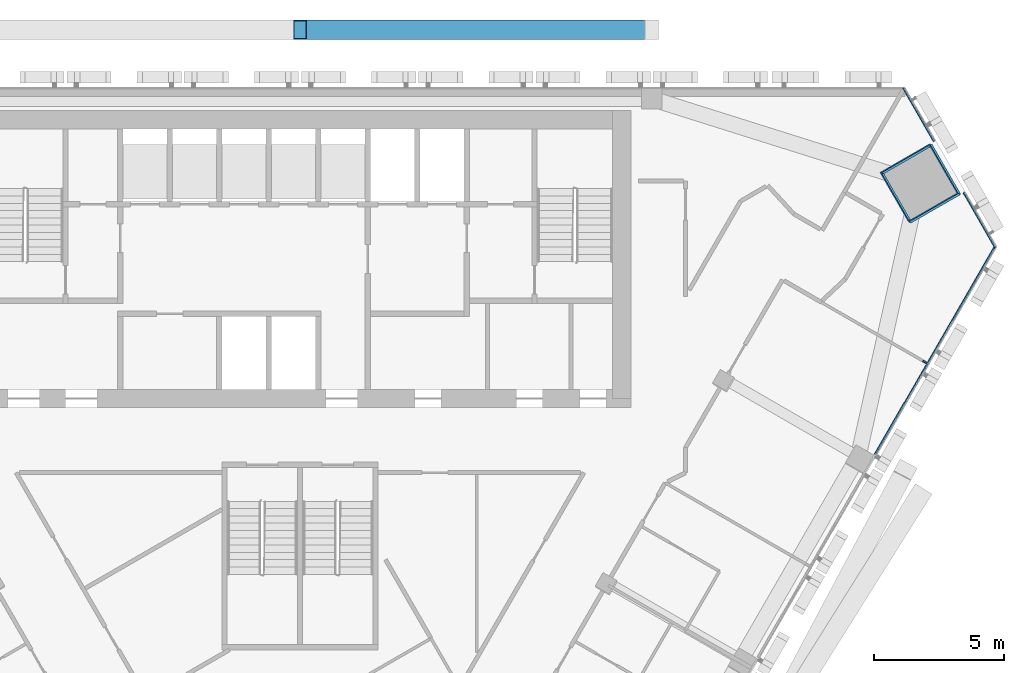
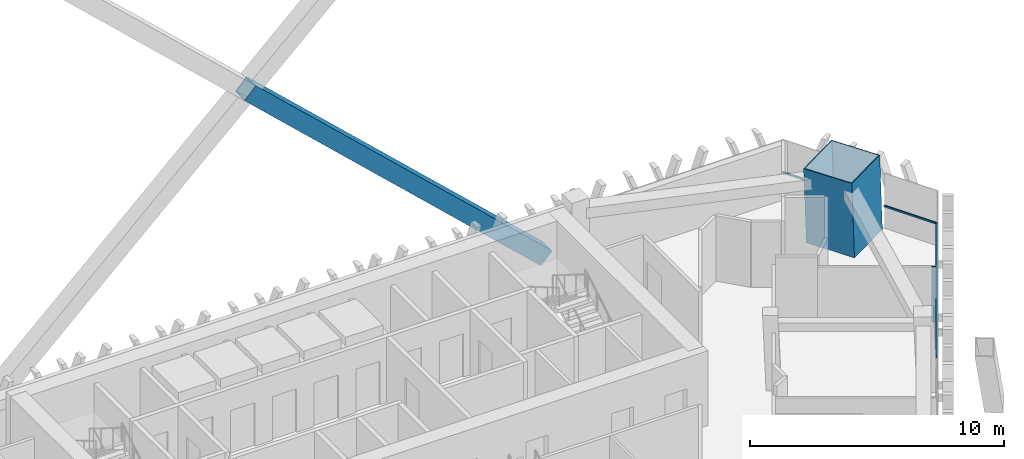
# One storey, part 9 of 18: 6 members, 2 elements without a shape of their own.
"""IFC4 building model written with IfcOpenShell, lengths in metres."""

from ifc_helpers import new_model, si_unit, direction, frame, origin, origin_2d, place, context, subcontext, project, spatial, rectangle, hollow_rectangle, extrude, material, layer, layer_set, material_profile, profile_set, type_object, element, aggregate, save


model = new_model("IFC4")

# Units and contexts
model_context = context("Model", 3, precision=1e-05, world=origin(), true_north=direction((0.0, 1.0)))
body_context = subcontext(model_context, "Body", "Model", "MODEL_VIEW")
ifc_project = project(units=[si_unit("LENGTHUNIT", "METRE"), si_unit("AREAUNIT", "SQUARE_METRE"), si_unit("VOLUMEUNIT", "CUBIC_METRE"), si_unit("PLANEANGLEUNIT", "RADIAN"), si_unit("MASSUNIT", "GRAM", prefix="KILO")], contexts=[model_context])

# Site, building, storey
site_placement = place(None, origin())
site = spatial("IfcSite", under=ifc_project, at=site_placement, CompositionType="ELEMENT")
building_placement = place(site_placement, origin())
building = spatial("IfcBuilding", under=site, at=building_placement, Name="Altiplano Prism Tower", CompositionType="ELEMENT")
storey_placement = place(building_placement, frame((0.0, 0.0, 163.800048828125)))
storey = spatial("IfcBuildingStorey", under=building, at=storey_placement, Name="L42", CompositionType="ELEMENT", Elevation=163.800048828125)

# Curtain wall, members
ifc_material_1 = material(Name="Aluminium and glass", Category="aluminium")
ifc_layer = layer(ifc_material_1, 0.280029296875)
ifc_layer_set = layer_set([ifc_layer], Name="Aluminium and glass")
curtain_wall_type = type_object("IfcCurtainWallType", Name="CW1 typical co-living unitised curtain wall", PredefinedType="NOTDEFINED", material=ifc_layer_set)
curtain_wall_1_placement = place(storey_placement, origin())
curtain_wall_1 = element("IfcCurtainWall", 1, at=curtain_wall_1_placement, inside=storey, type_object=curtain_wall_type, Name="CW1 curtain wall south-east face L42", PredefinedType="NOTDEFINED")
ifc_material_2 = material(Name="Aluminium", Category="aluminium")
ifc_material_profile_1 = material_profile(ifc_material_2, rectangle(XDim=0.179931640625, YDim=0.06494140625, at=origin_2d()), Name="CW1 mullion 65 x 180")
ifc_profile_set_1 = profile_set([ifc_material_profile_1], Name="Aluminium")
member_type_1 = type_object("IfcMemberType", Name="CW1 mullion 65 x 180", PredefinedType="MULLION", material=ifc_profile_set_1)
member_1_placement = place(storey_placement, frame((108.982421875, 94.4482421875, 0.0), z_axis=(0.0, 0.0, 1.0), x_axis=(-0.866025400931, 0.500000004943, 0.0)))
member_1 = element("IfcMember", 2, at=member_1_placement, type_object=member_type_1, Name="CW1 mullion", PredefinedType="MULLION", context=body_context, shape_type="SweptSolid", body=[
    extrude(rectangle(XDim=0.179931640625, YDim=0.06494140625, at=origin_2d()), origin(), (0.0, 0.0, 1.0), 2.64990234375),
])
ifc_material_profile_2 = material_profile(ifc_material_2, rectangle(XDim=0.06005859375, YDim=0.080078125, at=origin_2d()), Name="CW1 transom 80 x 60")
ifc_profile_set_2 = profile_set([ifc_material_profile_2], Name="Aluminium")
member_type_2 = type_object("IfcMemberType", Name="CW1 transom 80 x 60", PredefinedType="USERDEFINED", material=ifc_profile_set_2)
member_2_placement = place(storey_placement, frame((107.076171875, 90.906494140625, 1.099853515625), z_axis=(0.499990083164, 0.866031129197, 0.0), x_axis=(-0.866031129197, 0.499990083164, 0.0)))
member_2 = element("IfcMember", 3, at=member_2_placement, type_object=member_type_2, Name="CW1 transom", ObjectType="TRANSOM", PredefinedType="USERDEFINED", context=body_context, shape_type="SweptSolid", body=[
    extrude(rectangle(XDim=0.06005859375, YDim=0.080078125, at=origin_2d()), origin(), (0.0, 0.0, 1.0), 9.239013671875),
])
aggregate(curtain_wall_1, [member_1, member_2])

curtain_wall_2_placement = place(storey_placement, origin())
curtain_wall_2 = element("IfcCurtainWall", 4, at=curtain_wall_2_placement, inside=storey, type_object=curtain_wall_type, Name="CW1 curtain wall north-east chamfer L42", PredefinedType="NOTDEFINED")
member_3_placement = place(storey_placement, frame((111.695556640625, 98.837646484375, 1.099853515625), z_axis=(-0.499973876011, 0.866040485951, 0.0), x_axis=(-0.866040485951, -0.499973876011, 0.0)))
member_3 = element("IfcMember", 5, at=member_3_placement, type_object=member_type_2, Name="CW1 transom", ObjectType="TRANSOM", PredefinedType="USERDEFINED", context=body_context, shape_type="SweptSolid", body=[
    extrude(rectangle(XDim=0.06005859375, YDim=0.080078125, at=origin_2d()), origin(), (0.0, 0.0, 1.0), 2.437744140625),
])
member_4_placement = place(storey_placement, frame((109.3369140625, 102.92333984375, 1.099853515625), z_axis=(-0.49997046273, 0.866042456464, 0.0), x_axis=(-0.866042456464, -0.49997046273, 0.0)))
member_4 = element("IfcMember", 6, at=member_4_placement, type_object=member_type_2, Name="CW1 transom", ObjectType="TRANSOM", PredefinedType="USERDEFINED", context=body_context, shape_type="SweptSolid", body=[
    extrude(rectangle(XDim=0.06005859375, YDim=0.080078125, at=origin_2d()), origin(), (0.0, 0.0, 1.0), 2.357666015625),
])
aggregate(curtain_wall_2, [member_3, member_4])

# Members
ifc_material_3 = material(Name="Steel S355", Category="steel")
ifc_material_profile_3 = material_profile(ifc_material_3, hollow_rectangle(XDim=0.75, YDim=0.75, WallThickness=0.0400390625, at=origin_2d()), Name="Mega brace Box 750x750x40")
ifc_profile_set_3 = profile_set([ifc_material_profile_3], Name="Steel S355")
member_type_3 = type_object("IfcMemberType", Name="Mega brace Box 750x750x40", PredefinedType="BRACE", material=ifc_profile_set_3)
member_5_placement = place(storey_placement, frame((98.5, 107.199951171875, -0.800048828125), z_axis=(-0.729030469769, 0.0, 0.684481244556), x_axis=(0.0, -1.0, 0.0)))
element("IfcMember", 7, at=member_5_placement, inside=storey, type_object=member_type_3, Name="Mega brace 4.0.1", PredefinedType="BRACE", context=body_context, shape_type="SweptSolid", body=[
    extrude(hollow_rectangle(XDim=0.75, YDim=0.75, WallThickness=0.0400390625, at=origin_2d()), origin(), (0.0, 0.0, 1.0), 18.517822265625),
])
ifc_material_4 = material(Name="Steel S460", Category="steel")
ifc_material_profile_4 = material_profile(ifc_material_4, hollow_rectangle(XDim=2.199951171875, YDim=2.199951171875, WallThickness=0.0400390625, at=origin_2d()), Name="Mega column tube 2200")
ifc_profile_set_4 = profile_set([ifc_material_profile_4], Name="Steel S460")
member_type_4 = type_object("IfcMemberType", Name="Mega column tube 2200", PredefinedType="POST", material=ifc_profile_set_4)
member_6_placement = place(storey_placement, frame((108.861572265625, 101.286376953125, 0.0), z_axis=(-0.028335986449, 0.009287153453, 0.999555311452), x_axis=(0.498280594902, -0.866732114353, 0.022178608907)))
element("IfcMember", 8, at=member_6_placement, inside=storey, type_object=member_type_4, Name="Mega column tube M2 L42", PredefinedType="POST", context=body_context, shape_type="SweptSolid", body=[
    extrude(hollow_rectangle(XDim=2.199951171875, YDim=2.199951171875, WallThickness=0.0400390625, at=origin_2d()), origin(), (0.0, 0.0, 1.0), 3.6015625),
])

save(model, "model.ifc")
